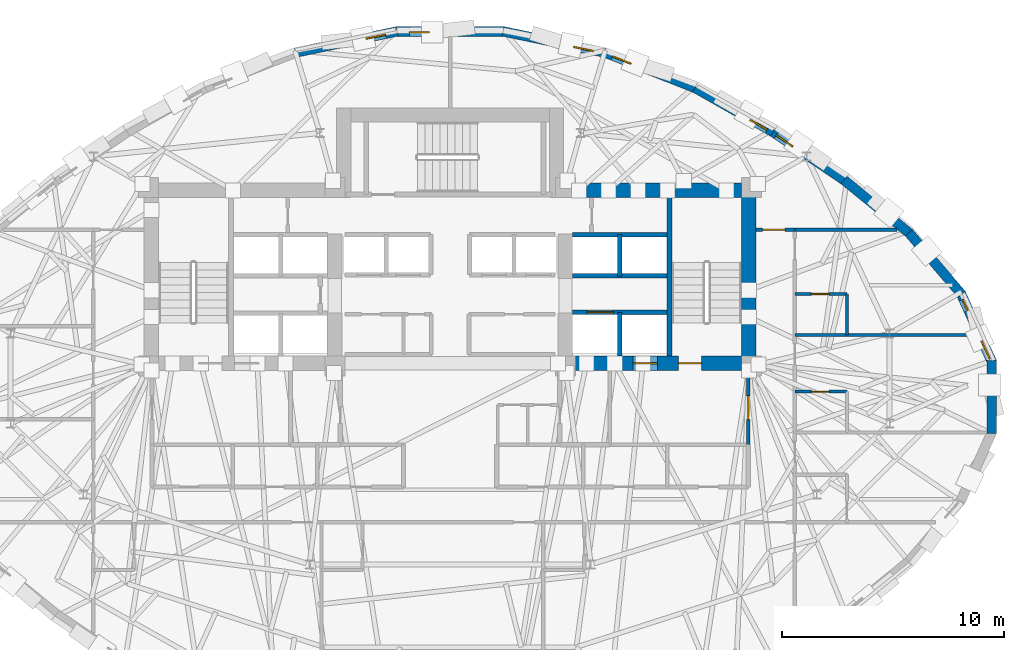
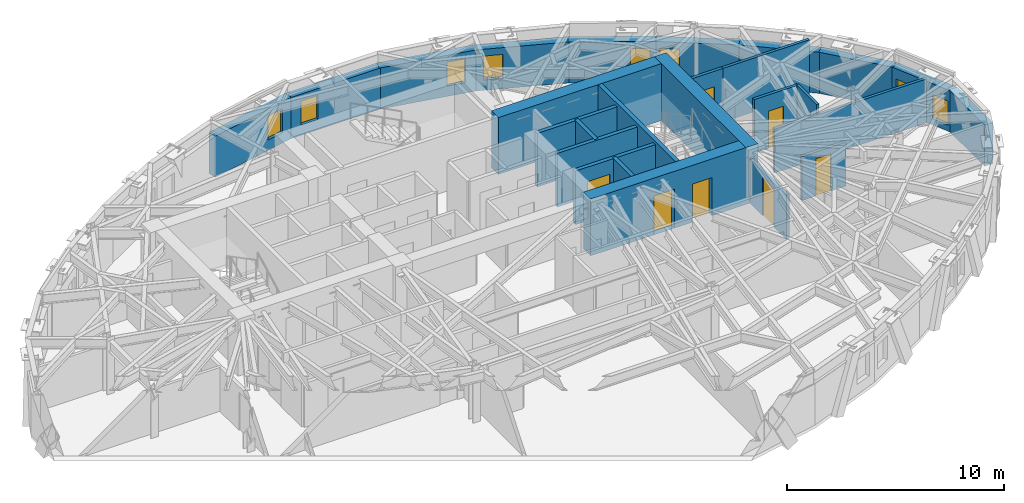
# One storey, part 9 of 14: 26 walls, 8 windows, 7 doors, 15 openings.
"""IFC4 building model written with IfcOpenShell, lengths in metres."""

from ifc_helpers import new_model, si_unit, direction, frame, frame_2d, origin, place, context, subcontext, project, spatial, rectangle, extrude, material, layer, layer_set, type_object, element, fill, save


model = new_model("IFC4")

# Units and contexts
model_context = context("Model", 3, precision=1e-05, world=origin(), true_north=direction((0.0, 1.0)))
body_context = subcontext(model_context, "Body", "Model", "MODEL_VIEW")
ifc_project = project(units=[si_unit("LENGTHUNIT", "METRE"), si_unit("AREAUNIT", "SQUARE_METRE"), si_unit("VOLUMEUNIT", "CUBIC_METRE"), si_unit("PLANEANGLEUNIT", "RADIAN"), si_unit("MASSUNIT", "GRAM", prefix="KILO")], contexts=[model_context])

# Site, building, storey
site_placement = place(None, origin())
site = spatial("IfcSite", under=ifc_project, at=site_placement, CompositionType="ELEMENT")
building_placement = place(site_placement, origin())
building = spatial("IfcBuilding", under=site, at=building_placement, Name="Keldmark Tower", CompositionType="ELEMENT")
storey_placement = place(building_placement, frame((0.0, 0.0, 188.60009765625)))
storey = spatial("IfcBuildingStorey", under=building, at=storey_placement, Name="L52", CompositionType="ELEMENT", Elevation=188.60009765625)

# Wall, opening, door
ifc_material_1 = material(Name="Type X Fire-Rated Gypsum Partition Assembly", Category="gypsum")
ifc_layer_1 = layer(ifc_material_1, 0.1650390625)
ifc_layer_set_1 = layer_set([ifc_layer_1], Name="Type X Fire-Rated Gypsum Partition Assembly")
wall_type_1 = type_object("IfcWallType", Name="Rated Partition 165 mm", PredefinedType="PARTITIONING", material=ifc_layer_set_1)
wall_1_placement = place(storey_placement, frame((13.449951171875, -2.14990234375, 0.0), z_axis=(0.0, 0.0, 1.0), x_axis=(0.0, 1.0, 0.0)))
wall_1 = element("IfcWall", 1, at=wall_1_placement, inside=storey, type_object=wall_type_1, Name="L52 Rated Partition 165 mm FSAE-E-E", PredefinedType="PARTITIONING", context=body_context, shape_type="SweptSolid", body=[
    extrude(rectangle(XDim=3.39990234375, YDim=0.1650390625, at=frame_2d((1.699951171875, 0.0))), origin(), (0.0, 0.0, 1.0), 2.472900390625),
])
opening_1_placement = place(wall_1_placement, frame((1.14990234375, 0.0, 0.0)))
opening_1 = element("IfcOpeningElement", 2, at=opening_1_placement, cuts=wall_1, Name="Opening D-FL105", PredefinedType="OPENING", context=body_context, shape_type="SweptSolid", body=[
    extrude(rectangle(XDim=1.050048828125, YDim=2.14990234375, at=frame_2d((0.52490234375, 1.074951171875))), frame((0.0, 0.092529296875, 0.0), z_axis=(0.0, -1.0, 0.0), x_axis=(1.0, 0.0, 0.0)), (0.0, 0.0, 1.0), 0.18505859375),
])
ifc_material_2 = material(Name="Fire-Rated Mineral-Core Door and Vision Lite", Category="metal")
door_type_1 = type_object("IfcDoorType", Name="Fire Lobby Door 1050x2150", OperationType="NOTDEFINED", PredefinedType="DOOR", material=ifc_material_2)
door_1_placement = place(opening_1_placement, origin())
door_1 = element("IfcDoor", 3, at=door_1_placement, inside=storey, type_object=door_type_1, Name="L52 Fire Lobby Door 1050x2150 D-FSAEE-OUT-L52", OperationType="SINGLE_SWING_LEFT", OverallHeight=2.14990234375, OverallWidth=1.050048828125, PredefinedType="DOOR", context=body_context, shape_type="SweptSolid", body=[
    extrude(rectangle(XDim=1.050048828125, YDim=2.14990234375, at=frame_2d((0.52490234375, 1.074951171875))), frame((0.0, 0.02490234375, 0.0), z_axis=(0.0, -1.0, 0.0), x_axis=(1.0, 0.0, 0.0)), (0.0, 0.0, 1.0), 0.050048828125),
])
fill(opening_1, door_1)

wall_2_placement = place(storey_placement, frame((13.800048828125, 7.550048828125, 0.0), z_axis=(0.0, 0.0, 1.0), x_axis=(1.0, 0.0, 0.0)))
wall_2 = element("IfcWall", 4, at=wall_2_placement, inside=storey, type_object=wall_type_1, Name="L52 Rated Partition 165 mm HCOR-EN", PredefinedType="PARTITIONING", context=body_context, shape_type="SweptSolid", body=[
    extrude(rectangle(XDim=1.75, YDim=0.1650390625, at=frame_2d((0.875, 0.0))), origin(), (0.0, 0.0, 1.0), 3.02001953125),
])
opening_2_placement = place(wall_2_placement, frame((0.300048828125, 0.0, 0.0)))
opening_2 = element("IfcOpeningElement", 5, at=opening_2_placement, cuts=wall_2, Name="Opening D-FD100", PredefinedType="OPENING", context=body_context, shape_type="SweptSolid", body=[
    extrude(rectangle(XDim=1.0, YDim=2.14990234375, at=frame_2d((0.5, 1.074951171875))), frame((0.0, 0.092529296875, 0.0), z_axis=(0.0, -1.0, 0.0), x_axis=(1.0, 0.0, 0.0)), (0.0, 0.0, 1.0), 0.18505859375),
])
ifc_material_3 = material(Name="Hollow Metal Fire-Rated Corridor Door", Category="metal")
door_type_2 = type_object("IfcDoorType", Name="Fire Door 1000x2150", OperationType="NOTDEFINED", PredefinedType="DOOR", material=ifc_material_3)
door_2_placement = place(opening_2_placement, origin())
door_2 = element("IfcDoor", 6, at=door_2_placement, inside=storey, type_object=door_type_2, Name="L52 Fire Door 1000x2150 D-HNNE-L52", OperationType="SINGLE_SWING_RIGHT", OverallHeight=2.14990234375, OverallWidth=1.0, PredefinedType="DOOR", context=body_context, shape_type="SweptSolid", body=[
    extrude(rectangle(XDim=1.0, YDim=2.14990234375, at=frame_2d((0.5, 1.074951171875))), frame((0.0, 0.02490234375, 0.0), z_axis=(0.0, -1.0, 0.0), x_axis=(1.0, 0.0, 0.0)), (0.0, 0.0, 1.0), 0.050048828125),
])
fill(opening_2, door_2)

ifc_material_4 = material(Name="Fire-Resistant Type X Gypsum Shaftliner Coreboard", Category="gypsum")
ifc_layer_2 = layer(ifc_material_4, 0.199951171875)
ifc_layer_set_2 = layer_set([ifc_layer_2], Name="Fire-Resistant Type X Gypsum Shaftliner Coreboard")
wall_type_2 = type_object("IfcWallType", Name="Shaft Wall 200 mm", PredefinedType="SOLIDWALL", material=ifc_layer_set_2)
wall_3_placement = place(storey_placement, frame((5.52490234375, 3.820068359375, 0.0), z_axis=(0.0, 0.0, 1.0), x_axis=(1.0, 0.0, 0.0)))
wall_3 = element("IfcWall", 7, at=wall_3_placement, inside=storey, type_object=wall_type_2, Name="L52 Shaft Wall 200 mm HW-E-S", PredefinedType="SOLIDWALL", context=body_context, shape_type="SweptSolid", body=[
    extrude(rectangle(XDim=4.255126953125, YDim=0.199951171875, at=frame_2d((2.12744140625, 0.0))), origin(), (0.0, 0.0, 1.0), 3.02001953125),
])
opening_3_placement = place(wall_3_placement, frame((0.64990234375, 0.0, 0.0)))
opening_3 = element("IfcOpeningElement", 8, at=opening_3_placement, cuts=wall_3, Name="Opening LD-120", PredefinedType="OPENING", context=body_context, shape_type="SweptSolid", body=[
    extrude(rectangle(XDim=1.199951171875, YDim=2.199951171875, at=frame_2d((0.60009765625, 1.10009765625))), frame((0.0, 0.10986328125, 0.0), z_axis=(0.0, -1.0, 0.0), x_axis=(1.0, 0.0, 0.0)), (0.0, 0.0, 1.0), 0.219970703125),
])
ifc_material_5 = material(Name="Heavy-Duty Brushed Metal Hoistway Sliding Leaf", Category="metal")
door_type_3 = type_object("IfcDoorType", Name="Service Lift Sliding Door 1200x2200", OperationType="SLIDING_TO_RIGHT", PredefinedType="DOOR", material=ifc_material_5)
door_3_placement = place(opening_3_placement, origin())
door_3 = element("IfcDoor", 9, at=door_3_placement, inside=storey, type_object=door_type_3, Name="L52 Service Lift Sliding Door 1200x2200 LD-EL-SV1-L52", OperationType="SLIDING_TO_RIGHT", OverallHeight=2.199951171875, OverallWidth=1.199951171875, PredefinedType="DOOR", context=body_context, shape_type="SweptSolid", body=[
    extrude(rectangle(XDim=1.199951171875, YDim=2.199951171875, at=frame_2d((0.60009765625, 1.10009765625))), frame((0.0, 0.02490234375, 0.0), z_axis=(0.0, -1.0, 0.0), x_axis=(1.0, 0.0, 0.0)), (0.0, 0.0, 1.0), 0.050048828125),
])
fill(opening_3, door_3)

# Walls
wall_4_placement = place(storey_placement, frame((7.64990234375, 1.85009765625, 0.0), z_axis=(0.0, 0.0, 1.0), x_axis=(0.0, 1.0, 0.0)))
element("IfcWall", 10, at=wall_4_placement, inside=storey, type_object=wall_type_2, Name="L52 Shaft Wall 200 mm HW-E-M", PredefinedType="SOLIDWALL", context=body_context, shape_type="SweptSolid", body=[
    extrude(rectangle(XDim=1.969970703125, YDim=0.199951171875, at=frame_2d((0.98486328125, 0.0))), origin(), (0.0, 0.0, 1.0), 3.02001953125),
])
for number, where, z_axis, x_axis, name in (
    (11, (5.52490234375, 5.469970703125, 0.0), (0.0, 0.0, 1.0), (1.0, 0.0, 0.0), "L52 Shaft Wall 200 mm HW-E-N"),
    (12, (5.52490234375, 7.330078125, 0.0), (0.0, 0.0, 1.0), (1.0, 0.0, 0.0), "L52 Shaft Wall 200 mm HW-E-TOP"),
):
    element("IfcWall", number, at=place(storey_placement, frame(where, z_axis=z_axis, x_axis=x_axis)), inside=storey, type_object=wall_type_2, Name=name, PredefinedType="SOLIDWALL", context=body_context, shape_type="SweptSolid", body=[
        extrude(rectangle(XDim=4.255126953125, YDim=0.199951171875, at=frame_2d((2.12744140625, 0.0))), origin(), (0.0, 0.0, 1.0), 3.02001953125),
    ])
wall_5_placement = place(storey_placement, frame((7.64990234375, 5.469970703125, 0.0), z_axis=(0.0, 0.0, 1.0), x_axis=(0.0, 1.0, 0.0)))
element("IfcWall", 13, at=wall_5_placement, inside=storey, type_object=wall_type_2, Name="L52 Shaft Wall 200 mm HW-E-NM", PredefinedType="SOLIDWALL", context=body_context, shape_type="SweptSolid", body=[
    extrude(rectangle(XDim=1.860107421875, YDim=0.199951171875, at=frame_2d((0.93017578125, 0.0))), origin(), (0.0, 0.0, 1.0), 3.02001953125),
])
ifc_material_6 = material(Name="Concrete C50/60", Category="concrete")
ifc_layer_3 = layer(ifc_material_6, 0.219970703125)
ifc_layer_set_3 = layer_set([ifc_layer_3], Name="Concrete C50/60")
wall_type_3 = type_object("IfcWallType", Name="Stair Core Shear Wall 220 mm", PredefinedType="SHEAR", material=ifc_layer_set_3)
wall_6_placement = place(storey_placement, frame((9.889892578125, 1.85009765625, 0.0), z_axis=(0.0, 0.0, 1.0), x_axis=(0.0, 1.0, 0.0)))
element("IfcWall", 14, at=wall_6_placement, inside=storey, type_object=wall_type_3, Name="L52 East Stair Core Shear Wall", PredefinedType="SHEAR", context=body_context, shape_type="SweptSolid", body=[
    extrude(rectangle(XDim=7.14990234375, YDim=0.219970703125, at=frame_2d((3.574951171875, 0.0))), origin(), (0.0, 0.0, 1.0), 3.199951171875),
])

# Wall, openings, windows
ifc_material_7 = material(Name="Ironspot Manganese Brick and Kasota Buff Limestone Spandrel Assembly", Category="masonry")
ifc_layer_4 = layer(ifc_material_7, 0.43994140625)
ifc_layer_set_4 = layer_set([ifc_layer_4], Name="Ironspot Manganese Brick and Kasota Buff Limestone Spandrel Assembly")
wall_type_4 = type_object("IfcWallType", Name="Tower Brick Pier and Spandrel Wall 440 mm", PredefinedType="STANDARD", material=ifc_layer_set_4)
wall_7_placement = place(storey_placement, frame((23.038818359375, 4.6884765625, 0.0), z_axis=(0.0, 0.0, 1.0), x_axis=(0.412583132773, -0.91091995178, 0.0)))
wall_7 = element("IfcWall", 15, at=wall_7_placement, inside=storey, type_object=wall_type_4, Name="L52 Exterior Brick and Spandrel Wall 01", PredefinedType="STANDARD", context=body_context, shape_type="SweptSolid", body=[
    extrude(rectangle(XDim=3.439208984375, YDim=0.43994140625, at=frame_2d((1.7197265625, 0.0))), origin(), (0.0, 0.0, 1.0), 2.31494140625),
])
opening_4_placement = place(wall_7_placement, frame((2.349853515625, 0.0, 0.340087890625)))
opening_4 = element("IfcOpeningElement", 16, at=opening_4_placement, cuts=wall_7, Name="Opening W-09", PredefinedType="OPENING", context=body_context, shape_type="SweptSolid", body=[
    extrude(rectangle(XDim=0.89990234375, YDim=1.35009765625, at=frame_2d((0.449951171875, 0.675048828125))), frame((0.0, 0.22998046875, 0.0), z_axis=(0.0, -1.0, 0.0), x_axis=(1.0, 0.0, 0.0)), (0.0, 0.0, 1.0), 0.4599609375),
])
opening_5_placement = place(wall_7_placement, frame((0.289794921875, 0.0, 0.580078125)))
opening_5 = element("IfcOpeningElement", 17, at=opening_5_placement, cuts=wall_7, Name="Opening W-10", PredefinedType="OPENING", context=body_context, shape_type="SweptSolid", body=[
    extrude(rectangle(XDim=0.56005859375, YDim=1.14990234375, at=frame_2d((0.280029296875, 0.574951171875))), frame((0.0, 0.22998046875, 0.0), z_axis=(0.0, -1.0, 0.0), x_axis=(1.0, 0.0, 0.0)), (0.0, 0.0, 1.0), 0.4599609375),
])
ifc_material_8 = material(Name="Thermally Broken Anodized Aluminum and Triple Low-E Argon Glazing", Category="aluminium")
window_type_1 = type_object("IfcWindowType", Name="Corner Pier Deep-Set Window 900x1350", PartitioningType="SINGLE_PANEL", PredefinedType="WINDOW", material=ifc_material_8)
window_1_placement = place(opening_4_placement, origin())
window_1 = element("IfcWindow", 18, at=window_1_placement, inside=storey, type_object=window_type_1, Name="L52 Pier Window RM01", OverallHeight=1.35009765625, OverallWidth=0.89990234375, PartitioningType="SINGLE_PANEL", PredefinedType="WINDOW", context=body_context, shape_type="SweptSolid", body=[
    extrude(rectangle(XDim=0.89990234375, YDim=1.35009765625, at=frame_2d((0.449951171875, 0.675048828125))), frame((0.0, -0.010009765625, 0.0), z_axis=(0.0, -1.0, 0.0), x_axis=(1.0, 0.0, 0.0)), (0.0, 0.0, 1.0), 0.06005859375),
])
fill(opening_4, window_1)
ifc_material_9 = material(Name="Thermally Broken Anodized Aluminum and Triple Low-E Argon Glazing", Category="aluminium")
window_type_2 = type_object("IfcWindowType", Name="Narrow Pier Lancet Window 560x1150", PartitioningType="SINGLE_PANEL", PredefinedType="WINDOW", material=ifc_material_9)
window_2_placement = place(opening_5_placement, origin())
window_2 = element("IfcWindow", 19, at=window_2_placement, inside=storey, type_object=window_type_2, Name="L52 Pier Window RM02", OverallHeight=1.14990234375, OverallWidth=0.56005859375, PartitioningType="SINGLE_PANEL", PredefinedType="WINDOW", context=body_context, shape_type="SweptSolid", body=[
    extrude(rectangle(XDim=0.56005859375, YDim=1.14990234375, at=frame_2d((0.280029296875, 0.574951171875))), frame((0.0, -0.010009765625, 0.0), z_axis=(0.0, -1.0, 0.0), x_axis=(1.0, 0.0, 0.0)), (0.0, 0.0, 1.0), 0.06005859375),
])
fill(opening_5, window_2)

# Walls
wall_8_placement = place(storey_placement, frame((20.69580078125, 7.4169921875, 0.0), z_axis=(0.0, 0.0, 1.0), x_axis=(0.649641806751, -0.760240437573, 0.0)))
element("IfcWall", 20, at=wall_8_placement, inside=storey, type_object=wall_type_4, Name="L52 Exterior Brick and Spandrel Wall 02", PredefinedType="STANDARD", context=body_context, shape_type="SweptSolid", body=[
    extrude(rectangle(XDim=3.65771484375, YDim=0.43994140625, at=frame_2d((1.828857421875, 0.0))), origin(), (0.0, 0.0, 1.0), 2.31494140625),
])
wall_9_placement = place(storey_placement, frame((17.76708984375, 9.79150390625, 0.0), z_axis=(0.0, 0.0, 1.0), x_axis=(0.776145361002, -0.63055402512, 0.0)))
element("IfcWall", 21, at=wall_9_placement, inside=storey, type_object=wall_type_4, Name="L52 Exterior Brick and Spandrel Wall 03", PredefinedType="STANDARD", context=body_context, shape_type="SweptSolid", body=[
    extrude(rectangle(XDim=3.809814453125, YDim=0.43994140625, at=frame_2d((1.90478515625, 0.0))), origin(), (0.0, 0.0, 1.0), 2.31494140625),
])

# Wall, opening, window
wall_10_placement = place(storey_placement, frame((14.5712890625, 11.956787109375, 0.0), z_axis=(0.0, 0.0, 1.0), x_axis=(0.82772633423, -0.56113199483, 0.0)))
wall_10 = element("IfcWall", 22, at=wall_10_placement, inside=storey, type_object=wall_type_4, Name="L52 Exterior Brick and Spandrel Wall 04", PredefinedType="STANDARD", context=body_context, shape_type="SweptSolid", body=[
    extrude(rectangle(XDim=3.879150390625, YDim=0.43994140625, at=frame_2d((1.939453125, 0.0))), origin(), (0.0, 0.0, 1.0), 2.31494140625),
])
opening_6_placement = place(wall_10_placement, frame((0.199951171875, 0.0, 0.580078125)))
opening_6 = element("IfcOpeningElement", 23, at=opening_6_placement, cuts=wall_10, Name="Opening W-09", PredefinedType="OPENING", context=body_context, shape_type="SweptSolid", body=[
    extrude(rectangle(XDim=0.89990234375, YDim=1.35009765625, at=frame_2d((0.449951171875, 0.675048828125))), frame((0.0, 0.22998046875, 0.0), z_axis=(0.0, -1.0, 0.0), x_axis=(1.0, 0.0, 0.0)), (0.0, 0.0, 1.0), 0.4599609375),
])
window_3_placement = place(opening_6_placement, origin())
window_3 = element("IfcWindow", 24, at=window_3_placement, inside=storey, type_object=window_type_1, Name="L52 Deep-Set Window 04", OverallHeight=1.35009765625, OverallWidth=0.89990234375, PartitioningType="SINGLE_PANEL", PredefinedType="WINDOW", context=body_context, shape_type="SweptSolid", body=[
    extrude(rectangle(XDim=0.89990234375, YDim=1.35009765625, at=frame_2d((0.449951171875, 0.675048828125))), frame((0.0, -0.010009765625, 0.0), z_axis=(0.0, -1.0, 0.0), x_axis=(1.0, 0.0, 0.0)), (0.0, 0.0, 1.0), 0.06005859375),
])
fill(opening_6, window_3)

wall_11_placement = place(storey_placement, frame((11.043212890625, 13.952392578125, 0.0), z_axis=(0.0, 0.0, 1.0), x_axis=(0.870346086449, -0.492440544434, 0.0)))
wall_11 = element("IfcWall", 25, at=wall_11_placement, inside=storey, type_object=wall_type_4, Name="L52 Exterior Brick and Spandrel Wall 05", PredefinedType="STANDARD", context=body_context, shape_type="SweptSolid", body=[
    extrude(rectangle(XDim=4.0712890625, YDim=0.43994140625, at=frame_2d((2.03564453125, 0.0))), origin(), (0.0, 0.0, 1.0), 2.31494140625),
])
opening_7_placement = place(wall_11_placement, frame((2.872314453125, 0.0, 0.580078125)))
opening_7 = element("IfcOpeningElement", 26, at=opening_7_placement, cuts=wall_11, Name="Opening W-09", PredefinedType="OPENING", context=body_context, shape_type="SweptSolid", body=[
    extrude(rectangle(XDim=0.89990234375, YDim=1.35009765625, at=frame_2d((0.449951171875, 0.675048828125))), frame((0.0, 0.22998046875, 0.0), z_axis=(0.0, -1.0, 0.0), x_axis=(1.0, 0.0, 0.0)), (0.0, 0.0, 1.0), 0.4599609375),
])
window_4_placement = place(opening_7_placement, origin())
window_4 = element("IfcWindow", 27, at=window_4_placement, inside=storey, type_object=window_type_1, Name="L52 Deep-Set Window 05", OverallHeight=1.35009765625, OverallWidth=0.89990234375, PartitioningType="SINGLE_PANEL", PredefinedType="WINDOW", context=body_context, shape_type="SweptSolid", body=[
    extrude(rectangle(XDim=0.89990234375, YDim=1.35009765625, at=frame_2d((0.449951171875, 0.675048828125))), frame((0.0, -0.010009765625, 0.0), z_axis=(0.0, -1.0, 0.0), x_axis=(1.0, 0.0, 0.0)), (0.0, 0.0, 1.0), 0.06005859375),
])
fill(opening_7, window_4)

wall_12_placement = place(storey_placement, frame((6.96923828125, 15.550048828125, 0.0), z_axis=(0.0, 0.0, 1.0), x_axis=(0.930777752543, -0.365585524018, 0.0)))
wall_12 = element("IfcWall", 28, at=wall_12_placement, inside=storey, type_object=wall_type_4, Name="L52 Exterior Brick and Spandrel Wall 06", PredefinedType="STANDARD", context=body_context, shape_type="SweptSolid", body=[
    extrude(rectangle(XDim=4.40673828125, YDim=0.43994140625, at=frame_2d((2.203369140625, 0.0))), origin(), (0.0, 0.0, 1.0), 2.31494140625),
])
opening_8_placement = place(wall_12_placement, frame((0.397216796875, 0.0, 0.580078125)))
opening_8 = element("IfcOpeningElement", 29, at=opening_8_placement, cuts=wall_12, Name="Opening W-09", PredefinedType="OPENING", context=body_context, shape_type="SweptSolid", body=[
    extrude(rectangle(XDim=0.89990234375, YDim=1.35009765625, at=frame_2d((0.449951171875, 0.675048828125))), frame((0.0, 0.22998046875, 0.0), z_axis=(0.0, -1.0, 0.0), x_axis=(1.0, 0.0, 0.0)), (0.0, 0.0, 1.0), 0.4599609375),
])
window_5_placement = place(opening_8_placement, origin())
window_5 = element("IfcWindow", 30, at=window_5_placement, inside=storey, type_object=window_type_1, Name="L52 Deep-Set Window 06", OverallHeight=1.35009765625, OverallWidth=0.89990234375, PartitioningType="SINGLE_PANEL", PredefinedType="WINDOW", context=body_context, shape_type="SweptSolid", body=[
    extrude(rectangle(XDim=0.89990234375, YDim=1.35009765625, at=frame_2d((0.449951171875, 0.675048828125))), frame((0.0, -0.010009765625, 0.0), z_axis=(0.0, -1.0, 0.0), x_axis=(1.0, 0.0, 0.0)), (0.0, 0.0, 1.0), 0.06005859375),
])
fill(opening_8, window_5)

wall_13_placement = place(storey_placement, frame((2.3837890625, 16.50146484375, 0.0), z_axis=(0.0, 0.0, 1.0), x_axis=(0.979004509935, -0.203838586943, 0.0)))
wall_13 = element("IfcWall", 31, at=wall_13_placement, inside=storey, type_object=wall_type_4, Name="L52 Exterior Brick and Spandrel Wall 07", PredefinedType="STANDARD", context=body_context, shape_type="SweptSolid", body=[
    extrude(rectangle(XDim=4.72021484375, YDim=0.43994140625, at=frame_2d((2.360107421875, 0.0))), origin(), (0.0, 0.0, 1.0), 2.31494140625),
])
opening_9_placement = place(wall_13_placement, frame((3.273193359375, 0.0, 0.580078125)))
opening_9 = element("IfcOpeningElement", 32, at=opening_9_placement, cuts=wall_13, Name="Opening W-09", PredefinedType="OPENING", context=body_context, shape_type="SweptSolid", body=[
    extrude(rectangle(XDim=0.89990234375, YDim=1.35009765625, at=frame_2d((0.449951171875, 0.675048828125))), frame((0.0, 0.22998046875, 0.0), z_axis=(0.0, -1.0, 0.0), x_axis=(1.0, 0.0, 0.0)), (0.0, 0.0, 1.0), 0.4599609375),
])
window_6_placement = place(opening_9_placement, origin())
window_6 = element("IfcWindow", 33, at=window_6_placement, inside=storey, type_object=window_type_1, Name="L52 Deep-Set Window 07", OverallHeight=1.35009765625, OverallWidth=0.89990234375, PartitioningType="SINGLE_PANEL", PredefinedType="WINDOW", context=body_context, shape_type="SweptSolid", body=[
    extrude(rectangle(XDim=0.89990234375, YDim=1.35009765625, at=frame_2d((0.449951171875, 0.675048828125))), frame((0.0, -0.010009765625, 0.0), z_axis=(0.0, -1.0, 0.0), x_axis=(1.0, 0.0, 0.0)), (0.0, 0.0, 1.0), 0.06005859375),
])
fill(opening_9, window_6)

wall_14_placement = place(storey_placement, frame((-2.4287109375, 16.496826171875, 0.0), z_axis=(0.0, 0.0, 1.0), x_axis=(1.0, 0.0, 0.0)))
wall_14 = element("IfcWall", 34, at=wall_14_placement, inside=storey, type_object=wall_type_4, Name="L52 Exterior Brick and Spandrel Wall 08", PredefinedType="STANDARD", context=body_context, shape_type="SweptSolid", body=[
    extrude(rectangle(XDim=4.857421875, YDim=0.43994140625, at=frame_2d((2.4287109375, 0.0))), origin(), (0.0, 0.0, 1.0), 2.31494140625),
])
opening_10_placement = place(wall_14_placement, frame((0.59521484375, 0.0, 0.580078125)))
opening_10 = element("IfcOpeningElement", 35, at=opening_10_placement, cuts=wall_14, Name="Opening W-09", PredefinedType="OPENING", context=body_context, shape_type="SweptSolid", body=[
    extrude(rectangle(XDim=0.89990234375, YDim=1.35009765625, at=frame_2d((0.449951171875, 0.675048828125))), frame((0.0, 0.22998046875, 0.0), z_axis=(0.0, -1.0, 0.0), x_axis=(1.0, 0.0, 0.0)), (0.0, 0.0, 1.0), 0.4599609375),
])
window_7_placement = place(opening_10_placement, origin())
window_7 = element("IfcWindow", 36, at=window_7_placement, inside=storey, type_object=window_type_1, Name="L52 Deep-Set Window 08", OverallHeight=1.35009765625, OverallWidth=0.89990234375, PartitioningType="SINGLE_PANEL", PredefinedType="WINDOW", context=body_context, shape_type="SweptSolid", body=[
    extrude(rectangle(XDim=0.89990234375, YDim=1.35009765625, at=frame_2d((0.449951171875, 0.675048828125))), frame((0.0, -0.010009765625, 0.0), z_axis=(0.0, -1.0, 0.0), x_axis=(1.0, 0.0, 0.0)), (0.0, 0.0, 1.0), 0.06005859375),
])
fill(opening_10, window_7)

wall_15_placement = place(storey_placement, frame((-7.0048828125, 15.539306640625, 0.0), z_axis=(0.0, 0.0, 1.0), x_axis=(0.979004509935, 0.203838586943, 0.0)))
wall_15 = element("IfcWall", 37, at=wall_15_placement, inside=storey, type_object=wall_type_4, Name="L52 Exterior Brick and Spandrel Wall 09", PredefinedType="STANDARD", context=body_context, shape_type="SweptSolid", body=[
    extrude(rectangle(XDim=4.72021484375, YDim=0.43994140625, at=frame_2d((2.360107421875, 0.0))), origin(), (0.0, 0.0, 1.0), 2.31494140625),
])
opening_11_placement = place(wall_15_placement, frame((3.273193359375, 0.0, 0.580078125)))
opening_11 = element("IfcOpeningElement", 38, at=opening_11_placement, cuts=wall_15, Name="Opening W-09", PredefinedType="OPENING", context=body_context, shape_type="SweptSolid", body=[
    extrude(rectangle(XDim=0.89990234375, YDim=1.35009765625, at=frame_2d((0.449951171875, 0.675048828125))), frame((0.0, 0.22998046875, 0.0), z_axis=(0.0, -1.0, 0.0), x_axis=(1.0, 0.0, 0.0)), (0.0, 0.0, 1.0), 0.4599609375),
])
window_8_placement = place(opening_11_placement, origin())
window_8 = element("IfcWindow", 39, at=window_8_placement, inside=storey, type_object=window_type_1, Name="L52 Deep-Set Window 09", OverallHeight=1.35009765625, OverallWidth=0.89990234375, PartitioningType="SINGLE_PANEL", PredefinedType="WINDOW", context=body_context, shape_type="SweptSolid", body=[
    extrude(rectangle(XDim=0.89990234375, YDim=1.35009765625, at=frame_2d((0.449951171875, 0.675048828125))), frame((0.0, -0.010009765625, 0.0), z_axis=(0.0, -1.0, 0.0), x_axis=(1.0, 0.0, 0.0)), (0.0, 0.0, 1.0), 0.06005859375),
])
fill(opening_11, window_8)

# Walls
wall_16_placement = place(storey_placement, frame((24.438232421875, 1.646484375, 0.0), z_axis=(0.0, 0.0, 1.0), x_axis=(0.0, -1.0, 0.0)))
element("IfcWall", 40, at=wall_16_placement, inside=storey, type_object=wall_type_4, Name="L52 Exterior Brick and Spandrel Wall 32", PredefinedType="STANDARD", context=body_context, shape_type="SweptSolid", body=[
    extrude(rectangle(XDim=3.29296875, YDim=0.43994140625, at=frame_2d((1.646484375, 0.0))), origin(), (0.0, 0.0, 1.0), 2.31494140625),
])
ifc_material_10 = material(Name="Concrete C50/60", Category="concrete")
ifc_layer_5 = layer(ifc_material_10, 0.64990234375)
ifc_layer_set_5 = layer_set([ifc_layer_5], Name="Concrete C50/60")
wall_type_5 = type_object("IfcWallType", Name="Upper-Mid Core Shear Wall 650 mm", PredefinedType="SHEAR", material=ifc_layer_set_5)
wall_17_placement = place(storey_placement, frame((13.47509765625, 1.199951171875, 0.0), z_axis=(0.0, 0.0, 1.0), x_axis=(0.0, 1.0, 0.0)))
element("IfcWall", 41, at=wall_17_placement, inside=storey, type_object=wall_type_5, Name="L52 East Core Outer Shear Wall", PredefinedType="SHEAR", context=body_context, shape_type="SweptSolid", body=[
    extrude(rectangle(XDim=8.449951171875, YDim=0.64990234375, at=frame_2d((4.22509765625, 0.0))), origin(), (0.0, 0.0, 1.0), 3.199951171875),
])
wall_18_placement = place(storey_placement, frame((4.47509765625, 9.324951171875, 0.0), z_axis=(0.0, 0.0, 1.0), x_axis=(1.0, 0.0, 0.0)))
element("IfcWall", 42, at=wall_18_placement, inside=storey, type_object=wall_type_5, Name="L52 East Core North Shear Wall", PredefinedType="SHEAR", context=body_context, shape_type="SweptSolid", body=[
    extrude(rectangle(XDim=9.324951171875, YDim=0.64990234375, at=frame_2d((4.66259765625, 0.0))), origin(), (0.0, 0.0, 1.0), 3.199951171875),
])

# Wall, openings, doors
wall_19_placement = place(storey_placement, frame((13.800048828125, 1.52490234375, 0.0), z_axis=(0.0, 0.0, 1.0), x_axis=(-1.0, 0.0, 0.0)))
wall_19 = element("IfcWall", 43, at=wall_19_placement, inside=storey, type_object=wall_type_5, Name="L52 East Core South Shear Wall", PredefinedType="SHEAR", context=body_context, shape_type="SweptSolid", body=[
    extrude(rectangle(XDim=8.925048828125, YDim=0.64990234375, at=frame_2d((4.46240234375, 0.0))), origin(), (0.0, 0.0, 1.0), 3.199951171875),
])
opening_12_placement = place(wall_19_placement, frame((2.449951171875, 0.0, 0.0)))
opening_12 = element("IfcOpeningElement", 44, at=opening_12_placement, cuts=wall_19, Name="Opening D-ST105", PredefinedType="OPENING", context=body_context, shape_type="SweptSolid", body=[
    extrude(rectangle(XDim=1.050048828125, YDim=2.14990234375, at=frame_2d((0.52490234375, 1.074951171875))), frame((0.0, 0.3349609375, 0.0), z_axis=(0.0, -1.0, 0.0), x_axis=(1.0, 0.0, 0.0)), (0.0, 0.0, 1.0), 0.669921875),
])
opening_13_placement = place(wall_19_placement, frame((4.449951171875, 0.0, 0.0)))
opening_13 = element("IfcOpeningElement", 45, at=opening_13_placement, cuts=wall_19, Name="Opening LD-110", PredefinedType="OPENING", context=body_context, shape_type="SweptSolid", body=[
    extrude(rectangle(XDim=1.10009765625, YDim=2.199951171875, at=frame_2d((0.550048828125, 1.10009765625))), frame((0.0, 0.3349609375, 0.0), z_axis=(0.0, -1.0, 0.0), x_axis=(1.0, 0.0, 0.0)), (0.0, 0.0, 1.0), 0.669921875),
])
ifc_material_11 = material(Name="Brushed Bronze Hoistway Sliding Leaf", Category="metal")
door_type_4 = type_object("IfcDoorType", Name="Lift Landing Sliding Door 1100x2200", OperationType="SLIDING_TO_LEFT", PredefinedType="DOOR", material=ifc_material_11)
door_4_placement = place(opening_13_placement, origin())
door_4 = element("IfcDoor", 46, at=door_4_placement, inside=storey, type_object=door_type_4, Name="L52 Lift Landing Sliding Door 1100x2200 LD-EL-FS2-L52", OperationType="SLIDING_TO_LEFT", OverallHeight=2.199951171875, OverallWidth=1.10009765625, PredefinedType="DOOR", context=body_context, shape_type="SweptSolid", body=[
    extrude(rectangle(XDim=1.10009765625, YDim=2.199951171875, at=frame_2d((0.550048828125, 1.10009765625))), frame((0.0, 0.02490234375, 0.0), z_axis=(0.0, -1.0, 0.0), x_axis=(1.0, 0.0, 0.0)), (0.0, 0.0, 1.0), 0.050048828125),
])
fill(opening_13, door_4)
ifc_material_12 = material(Name="Hollow Metal Fire-Rated Door Assembly", Category="metal")
door_type_5 = type_object("IfcDoorType", Name="Stair Fire Door 1050x2150", OperationType="NOTDEFINED", PredefinedType="DOOR", material=ifc_material_12)
door_5_placement = place(opening_12_placement, origin())
door_5 = element("IfcDoor", 47, at=door_5_placement, inside=storey, type_object=door_type_5, Name="L52 Stair Fire Door 1050x2150 D-ST2-L52", OperationType="SINGLE_SWING_LEFT", OverallHeight=2.14990234375, OverallWidth=1.050048828125, PredefinedType="DOOR", context=body_context, shape_type="SweptSolid", body=[
    extrude(rectangle(XDim=1.050048828125, YDim=2.14990234375, at=frame_2d((0.52490234375, 1.074951171875))), frame((0.0, 0.02490234375, 0.0), z_axis=(0.0, -1.0, 0.0), x_axis=(1.0, 0.0, 0.0)), (0.0, 0.0, 1.0), 0.050048828125),
])
fill(opening_12, door_5)

# Walls
ifc_material_13 = material(Name="Moisture-Resistant Gypsum Plumbing Partition", Category="gypsum")
ifc_layer_6 = layer(ifc_material_13, 0.14990234375)
ifc_layer_set_6 = layer_set([ifc_layer_6], Name="Moisture-Resistant Gypsum Plumbing Partition")
wall_type_6 = type_object("IfcWallType", Name="Wet Wall 150 mm", PredefinedType="PLUMBINGWALL", material=ifc_layer_set_6)
wall_20_placement = place(storey_placement, frame((15.550048828125, 7.550048828125, 0.0), z_axis=(0.0, 0.0, 1.0), x_axis=(1.0, 0.0, 0.0)))
element("IfcWall", 48, at=wall_20_placement, inside=storey, type_object=wall_type_6, Name="L52 Wet Wall 150 mm HE-CAP-N", PredefinedType="PLUMBINGWALL", context=body_context, shape_type="SweptSolid", body=[
    extrude(rectangle(XDim=4.61474609375, YDim=0.14990234375, at=frame_2d((2.307373046875, 0.0))), origin(), (0.0, 0.0, 1.0), 3.02001953125),
])
wall_21_placement = place(storey_placement, frame((15.550048828125, 2.800048828125, 0.0), z_axis=(0.0, 0.0, 1.0), x_axis=(1.0, 0.0, 0.0)))
element("IfcWall", 49, at=wall_21_placement, inside=storey, type_object=wall_type_6, Name="L52 Wet Wall 150 mm HE-DIV-2", PredefinedType="PLUMBINGWALL", context=body_context, shape_type="SweptSolid", body=[
    extrude(rectangle(XDim=8.09375, YDim=0.14990234375, at=frame_2d((4.046875, 0.0))), origin(), (0.0, 0.0, 1.0), 2.472900390625),
])

# Wall, opening, door
wall_22_placement = place(storey_placement, frame((15.550048828125, 0.25, 0.0), z_axis=(0.0, 0.0, 1.0), x_axis=(1.0, 0.0, 0.0)))
wall_22 = element("IfcWall", 50, at=wall_22_placement, inside=storey, type_object=wall_type_6, Name="L52 Wet Wall 150 mm HB-5-N", PredefinedType="PLUMBINGWALL", context=body_context, shape_type="SweptSolid", body=[
    extrude(rectangle(XDim=2.349853515625, YDim=0.14990234375, at=frame_2d((1.1748046875, 0.0))), origin(), (0.0, 0.0, 1.0), 2.472900390625),
])
opening_14_placement = place(wall_22_placement, frame((0.75, 0.0, 0.0)))
opening_14 = element("IfcOpeningElement", 51, at=opening_14_placement, cuts=wall_22, Name="Opening D-BT080", PredefinedType="OPENING", context=body_context, shape_type="SweptSolid", body=[
    extrude(rectangle(XDim=0.800048828125, YDim=2.10009765625, at=frame_2d((0.39990234375, 1.050048828125))), frame((0.0, 0.0849609375, 0.0), z_axis=(0.0, -1.0, 0.0), x_axis=(1.0, 0.0, 0.0)), (0.0, 0.0, 1.0), 0.169921875),
])
ifc_material_14 = material(Name="Moisture-Sealed Stained Wood", Category="wood")
door_type_6 = type_object("IfcDoorType", Name="Bathroom Door 800x2100", OperationType="NOTDEFINED", PredefinedType="DOOR", material=ifc_material_14)
door_6_placement = place(opening_14_placement, origin())
door_6 = element("IfcDoor", 52, at=door_6_placement, inside=storey, type_object=door_type_6, Name="L52 Bathroom Door 800x2100 D-HB-5-L52", OperationType="SINGLE_SWING_LEFT", OverallHeight=2.10009765625, OverallWidth=0.800048828125, PredefinedType="DOOR", context=body_context, shape_type="SweptSolid", body=[
    extrude(rectangle(XDim=0.800048828125, YDim=2.10009765625, at=frame_2d((0.39990234375, 1.050048828125))), frame((0.0, 0.02490234375, 0.0), z_axis=(0.0, -1.0, 0.0), x_axis=(1.0, 0.0, 0.0)), (0.0, 0.0, 1.0), 0.050048828125),
])
fill(opening_14, door_6)

wall_23_placement = place(storey_placement, frame((15.550048828125, 4.64990234375, 0.0), z_axis=(0.0, 0.0, 1.0), x_axis=(1.0, 0.0, 0.0)))
wall_23 = element("IfcWall", 53, at=wall_23_placement, inside=storey, type_object=wall_type_6, Name="L52 Wet Wall 150 mm HB-6-N", PredefinedType="PLUMBINGWALL", context=body_context, shape_type="SweptSolid", body=[
    extrude(rectangle(XDim=2.349853515625, YDim=0.14990234375, at=frame_2d((1.1748046875, 0.0))), origin(), (0.0, 0.0, 1.0), 3.02001953125),
])
opening_15_placement = place(wall_23_placement, frame((0.75, 0.0, 0.0)))
opening_15 = element("IfcOpeningElement", 54, at=opening_15_placement, cuts=wall_23, Name="Opening D-BT080", PredefinedType="OPENING", context=body_context, shape_type="SweptSolid", body=[
    extrude(rectangle(XDim=0.800048828125, YDim=2.10009765625, at=frame_2d((0.39990234375, 1.050048828125))), frame((0.0, 0.0849609375, 0.0), z_axis=(0.0, -1.0, 0.0), x_axis=(1.0, 0.0, 0.0)), (0.0, 0.0, 1.0), 0.169921875),
])
door_7_placement = place(opening_15_placement, origin())
door_7 = element("IfcDoor", 55, at=door_7_placement, inside=storey, type_object=door_type_6, Name="L52 Bathroom Door 800x2100 D-HB-6-L52", OperationType="SINGLE_SWING_RIGHT", OverallHeight=2.10009765625, OverallWidth=0.800048828125, PredefinedType="DOOR", context=body_context, shape_type="SweptSolid", body=[
    extrude(rectangle(XDim=0.800048828125, YDim=2.10009765625, at=frame_2d((0.39990234375, 1.050048828125))), frame((0.0, 0.02490234375, 0.0), z_axis=(0.0, -1.0, 0.0), x_axis=(1.0, 0.0, 0.0)), (0.0, 0.0, 1.0), 0.050048828125),
])
fill(opening_15, door_7)

# Wall
wall_24_placement = place(storey_placement, frame((17.89990234375, 2.800048828125, 0.0), z_axis=(0.0, 0.0, 1.0), x_axis=(0.0, 1.0, 0.0)))
element("IfcWall", 56, at=wall_24_placement, inside=storey, type_object=wall_type_6, Name="L52 Wet Wall 150 mm HB-6-IN", PredefinedType="PLUMBINGWALL", context=body_context, shape_type="SweptSolid", body=[
    extrude(rectangle(XDim=1.849853515625, YDim=0.14990234375, at=frame_2d((0.9248046875, 0.0))), origin(), (0.0, 0.0, 1.0), 3.02001953125),
])

save(model, "model.ifc")
